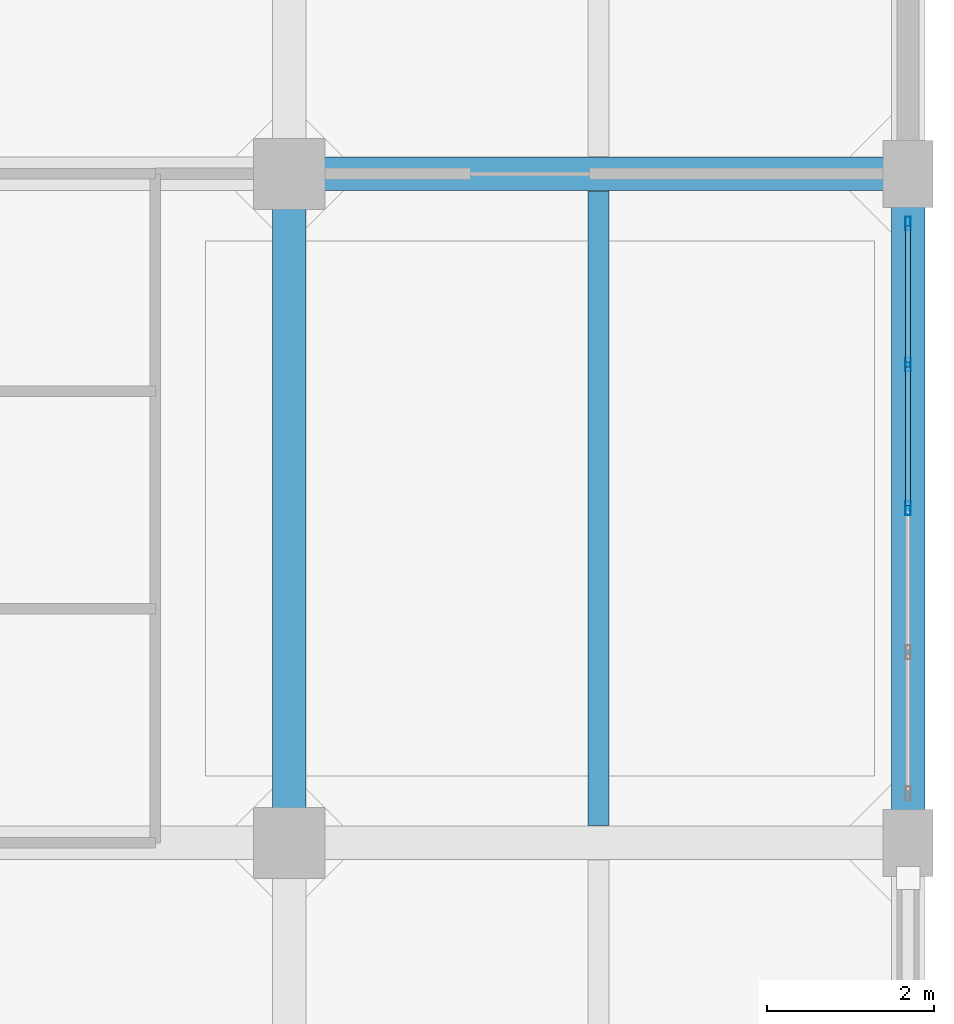
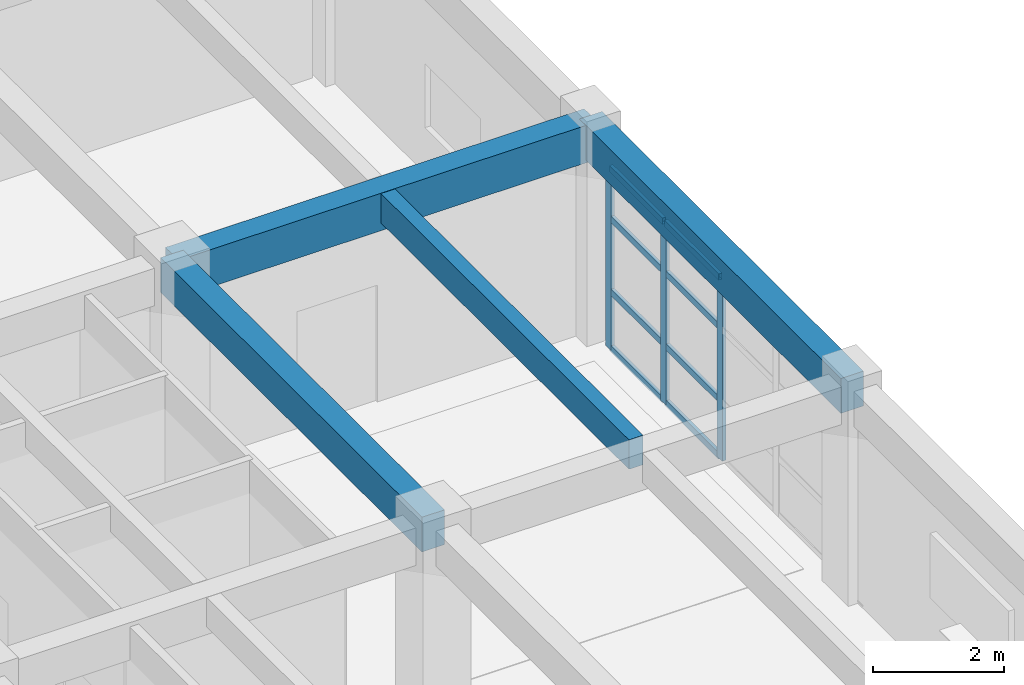
# One storey, part 11 of 27: 11 members, 4 beams, 1 element without a shape of its own.
"""IFC4 building model written with IfcOpenShell, lengths in metres."""

from ifc_helpers import new_model, si_unit, direction, frame, origin, origin_2d, place, context, subcontext, project, spatial, rectangle, hollow_rectangle, extrude, material, layer, layer_set, material_profile, profile_set, type_object, element, aggregate, save


model = new_model("IFC4")

# Units and contexts
model_context = context("Model", 3, precision=1e-05, world=origin(), true_north=direction((0.0, 1.0)))
body_context = subcontext(model_context, "Body", "Model", "MODEL_VIEW")
ifc_project = project(units=[si_unit("LENGTHUNIT", "METRE"), si_unit("AREAUNIT", "SQUARE_METRE"), si_unit("VOLUMEUNIT", "CUBIC_METRE"), si_unit("PLANEANGLEUNIT", "RADIAN"), si_unit("MASSUNIT", "GRAM", prefix="KILO")], contexts=[model_context])

# Site, building, storey
site_placement = place(None, origin())
site = spatial("IfcSite", under=ifc_project, at=site_placement, CompositionType="ELEMENT")
building_placement = place(site_placement, origin())
building = spatial("IfcBuilding", under=site, at=building_placement, Name="Canggui Botanical Conservatory", CompositionType="ELEMENT")
storey_placement = place(building_placement, frame((0.0, 0.0, 31.800048828125)))
storey = spatial("IfcBuildingStorey", under=building, at=storey_placement, Name="L08", CompositionType="ELEMENT", Elevation=31.800048828125)

# Beams
ifc_material_1 = material(Name="Concrete C35", Category="concrete")
ifc_material_profile_1 = material_profile(ifc_material_1, rectangle(XDim=0.25, YDim=0.550048828125, at=origin_2d()), Name="RB 250x550")
ifc_profile_set_1 = profile_set([ifc_material_profile_1], Name="Concrete C35")
beam_type_1 = type_object("IfcBeamType", Name="BM-JST03", PredefinedType="JOIST", material=ifc_profile_set_1)
beam_1_placement = place(storey_placement, frame((173.699951171875, 50.205078125, 3.704833984375), z_axis=(0.0, 1.0, 0.0), x_axis=(-1.0, 0.0, 0.0)))
element("IfcBeam", 1, at=beam_1_placement, inside=storey, type_object=beam_type_1, Name="Secondary Floor Joist L08-5-3", PredefinedType="JOIST", context=body_context, shape_type="SweptSolid", body=[
    extrude(rectangle(XDim=0.25, YDim=0.550048828125, at=origin_2d()), origin(), (0.0, 0.0, 1.0), 7.58984375),
])
ifc_material_profile_2 = material_profile(ifc_material_1, rectangle(XDim=0.39990234375, YDim=0.699951171875, at=origin_2d()), Name="RB 400x700")
ifc_profile_set_2 = profile_set([ifc_material_profile_2], Name="Concrete C35")
beam_type_2 = type_object("IfcBeamType", Name="BM-KL11", PredefinedType="BEAM", material=ifc_profile_set_2)
beam_2_placement = place(storey_placement, frame((170.0, 58.0, 3.6298828125), z_axis=(1.0, 0.0, 0.0), x_axis=(0.0, 1.0, 0.0)))
element("IfcBeam", 2, at=beam_2_placement, inside=storey, type_object=beam_type_2, Name="Frame Girder L08 Y58-5", PredefinedType="BEAM", context=body_context, shape_type="SweptSolid", body=[
    extrude(rectangle(XDim=0.39990234375, YDim=0.699951171875, at=origin_2d()), origin(), (0.0, 0.0, 1.0), 7.39990234375),
])
ifc_material_profile_3 = material_profile(ifc_material_1, rectangle(XDim=0.39990234375, YDim=0.64990234375, at=origin_2d()), Name="RB 400x650")
ifc_profile_set_3 = profile_set([ifc_material_profile_3], Name="Concrete C35")
beam_type_3 = type_object("IfcBeamType", Name="BM-KL12", PredefinedType="BEAM", material=ifc_profile_set_3)
for number, where, z_axis, x_axis, name in (
    (3, (170.0, 50.0, 3.655029296875), (0.0, 1.0, 0.0), (-1.0, 0.0, 0.0), "Frame Girder L08 X170-3"),
    (4, (177.39990234375, 50.0, 3.655029296875), (0.0, 1.0, 0.0), (-1.0, 0.0, 0.0), "Frame Girder L08 X178-3"),
):
    element("IfcBeam", number, at=place(storey_placement, frame(where, z_axis=z_axis, x_axis=x_axis)), inside=storey, type_object=beam_type_3, Name=name, PredefinedType="BEAM", context=body_context, shape_type="SweptSolid", body=[
        extrude(rectangle(XDim=0.39990234375, YDim=0.64990234375, at=origin_2d()), origin(), (0.0, 0.0, 1.0), 8.0),
    ])

# Curtain wall, members
ifc_material_2 = material(Name="Thermally Broken Aluminium", Category="aluminium")
ifc_layer = layer(ifc_material_2, 0.1650390625, Name="Thermally Broken Aluminium", Category="aluminium")
ifc_layer_set = layer_set([ifc_layer], Name="Thermally Broken Aluminium")
curtain_wall_type = type_object("IfcCurtainWallType", Name="CW-UNIT-B", PredefinedType="USERDEFINED", material=ifc_layer_set)
curtain_wall_placement = place(storey_placement, origin())
curtain_wall = element("IfcCurtainWall", 5, at=curtain_wall_placement, inside=storey, type_object=curtain_wall_type, Name="Facade Curtain Wall CW-TWR-L08-18", ObjectType="UNITISED CURTAIN WALL", PredefinedType="USERDEFINED")
ifc_material_profile_4 = material_profile(ifc_material_2, hollow_rectangle(XDim=0.06494140625, YDim=0.1650390625, WallThickness=0.00390625, at=origin_2d()), Name="CWM 65x165x4")
ifc_profile_set_4 = profile_set([ifc_material_profile_4], Name="Thermally Broken Aluminium")
member_type_1 = type_object("IfcMemberType", Name="CWM-02", PredefinedType="MULLION", material=ifc_profile_set_4)
member_1_placement = place(storey_placement, frame((177.39990234375, 57.407470703125, 0.0), z_axis=(0.0, 0.0, 1.0), x_axis=(1.0, 0.0, 0.0)))
member_1 = element("IfcMember", 6, at=member_1_placement, type_object=member_type_1, Name="CW-02 mullion 1", PredefinedType="MULLION", context=body_context, shape_type="SweptSolid", body=[
    extrude(hollow_rectangle(XDim=0.06494140625, YDim=0.1650390625, WallThickness=0.00390625, at=origin_2d()), origin(), (0.0, 0.0, 1.0), 3.39990234375),
])
member_2_placement = place(storey_placement, frame((177.39990234375, 55.719970703125, 0.0), z_axis=(0.0, 0.0, 1.0), x_axis=(1.0, 0.0, 0.0)))
member_2 = element("IfcMember", 7, at=member_2_placement, type_object=member_type_1, Name="CW-02 mullion 2", PredefinedType="MULLION", context=body_context, shape_type="SweptSolid", body=[
    extrude(hollow_rectangle(XDim=0.06494140625, YDim=0.1650390625, WallThickness=0.00390625, at=origin_2d()), origin(), (0.0, 0.0, 1.0), 3.39990234375),
])
member_3_placement = place(storey_placement, frame((177.39990234375, 54.0, 0.0), z_axis=(0.0, 0.0, 1.0), x_axis=(1.0, 0.0, 0.0)))
member_3 = element("IfcMember", 8, at=member_3_placement, type_object=member_type_1, Name="CW-02 mullion 3", PredefinedType="MULLION", context=body_context, shape_type="SweptSolid", body=[
    extrude(hollow_rectangle(XDim=0.06494140625, YDim=0.1650390625, WallThickness=0.00390625, at=origin_2d()), origin(), (0.0, 0.0, 1.0), 3.39990234375),
])
ifc_material_profile_5 = material_profile(ifc_material_2, hollow_rectangle(XDim=0.06005859375, YDim=0.1201171875, WallThickness=0.00341796875, at=origin_2d()), Name="CWT 60x120x3.5")
ifc_profile_set_5 = profile_set([ifc_material_profile_5], Name="Thermally Broken Aluminium")
member_type_2 = type_object("IfcMemberType", Name="CWT-02", PredefinedType="USERDEFINED", material=ifc_profile_set_5)
member_4_placement = place(storey_placement, frame((177.39990234375, 57.375, 0.030029296875), z_axis=(0.0, -1.0, 0.0), x_axis=(1.0, 0.0, 0.0)))
member_4 = element("IfcMember", 9, at=member_4_placement, type_object=member_type_2, Name="CW-02 transom 1.1", ObjectType="TRANSOM", PredefinedType="USERDEFINED", context=body_context, shape_type="SweptSolid", body=[
    extrude(hollow_rectangle(XDim=0.06005859375, YDim=0.1201171875, WallThickness=0.00341796875, at=origin_2d()), origin(), (0.0, 0.0, 1.0), 1.62255859375),
])
member_5_placement = place(storey_placement, frame((177.39990234375, 57.375, 1.087890625), z_axis=(0.0, -1.0, 0.0), x_axis=(1.0, 0.0, 0.0)))
member_5 = element("IfcMember", 10, at=member_5_placement, type_object=member_type_2, Name="CW-02 transom 1.2", ObjectType="TRANSOM", PredefinedType="USERDEFINED", context=body_context, shape_type="SweptSolid", body=[
    extrude(hollow_rectangle(XDim=0.06005859375, YDim=0.1201171875, WallThickness=0.00341796875, at=origin_2d()), origin(), (0.0, 0.0, 1.0), 1.62255859375),
])
member_6_placement = place(storey_placement, frame((177.39990234375, 57.375, 2.447998046875), z_axis=(0.0, -1.0, 0.0), x_axis=(1.0, 0.0, 0.0)))
member_6 = element("IfcMember", 11, at=member_6_placement, type_object=member_type_2, Name="CW-02 transom 1.3", ObjectType="TRANSOM", PredefinedType="USERDEFINED", context=body_context, shape_type="SweptSolid", body=[
    extrude(hollow_rectangle(XDim=0.06005859375, YDim=0.1201171875, WallThickness=0.00341796875, at=origin_2d()), origin(), (0.0, 0.0, 1.0), 1.62255859375),
])
member_7_placement = place(storey_placement, frame((177.39990234375, 57.375, 3.369873046875), z_axis=(0.0, -1.0, 0.0), x_axis=(1.0, 0.0, 0.0)))
member_7 = element("IfcMember", 12, at=member_7_placement, type_object=member_type_2, Name="CW-02 transom 1.4", ObjectType="TRANSOM", PredefinedType="USERDEFINED", context=body_context, shape_type="SweptSolid", body=[
    extrude(hollow_rectangle(XDim=0.06005859375, YDim=0.1201171875, WallThickness=0.00341796875, at=origin_2d()), origin(), (0.0, 0.0, 1.0), 1.62255859375),
])
member_8_placement = place(storey_placement, frame((177.39990234375, 55.6875, 0.030029296875), z_axis=(0.0, -1.0, 0.0), x_axis=(1.0, 0.0, 0.0)))
member_8 = element("IfcMember", 13, at=member_8_placement, type_object=member_type_2, Name="CW-02 transom 2.1", ObjectType="TRANSOM", PredefinedType="USERDEFINED", context=body_context, shape_type="SweptSolid", body=[
    extrude(hollow_rectangle(XDim=0.06005859375, YDim=0.1201171875, WallThickness=0.00341796875, at=origin_2d()), origin(), (0.0, 0.0, 1.0), 1.655029296875),
])
member_9_placement = place(storey_placement, frame((177.39990234375, 55.6875, 1.087890625), z_axis=(0.0, -1.0, 0.0), x_axis=(1.0, 0.0, 0.0)))
member_9 = element("IfcMember", 14, at=member_9_placement, type_object=member_type_2, Name="CW-02 transom 2.2", ObjectType="TRANSOM", PredefinedType="USERDEFINED", context=body_context, shape_type="SweptSolid", body=[
    extrude(hollow_rectangle(XDim=0.06005859375, YDim=0.1201171875, WallThickness=0.00341796875, at=origin_2d()), origin(), (0.0, 0.0, 1.0), 1.655029296875),
])
member_10_placement = place(storey_placement, frame((177.39990234375, 55.6875, 2.447998046875), z_axis=(0.0, -1.0, 0.0), x_axis=(1.0, 0.0, 0.0)))
member_10 = element("IfcMember", 15, at=member_10_placement, type_object=member_type_2, Name="CW-02 transom 2.3", ObjectType="TRANSOM", PredefinedType="USERDEFINED", context=body_context, shape_type="SweptSolid", body=[
    extrude(hollow_rectangle(XDim=0.06005859375, YDim=0.1201171875, WallThickness=0.00341796875, at=origin_2d()), origin(), (0.0, 0.0, 1.0), 1.655029296875),
])
member_11_placement = place(storey_placement, frame((177.39990234375, 55.6875, 3.369873046875), z_axis=(0.0, -1.0, 0.0), x_axis=(1.0, 0.0, 0.0)))
member_11 = element("IfcMember", 16, at=member_11_placement, type_object=member_type_2, Name="CW-02 transom 2.4", ObjectType="TRANSOM", PredefinedType="USERDEFINED", context=body_context, shape_type="SweptSolid", body=[
    extrude(hollow_rectangle(XDim=0.06005859375, YDim=0.1201171875, WallThickness=0.00341796875, at=origin_2d()), origin(), (0.0, 0.0, 1.0), 1.655029296875),
])
aggregate(curtain_wall, [member_1, member_2, member_3, member_4, member_5, member_6, member_7, member_8, member_9, member_10, member_11])

save(model, "model.ifc")
